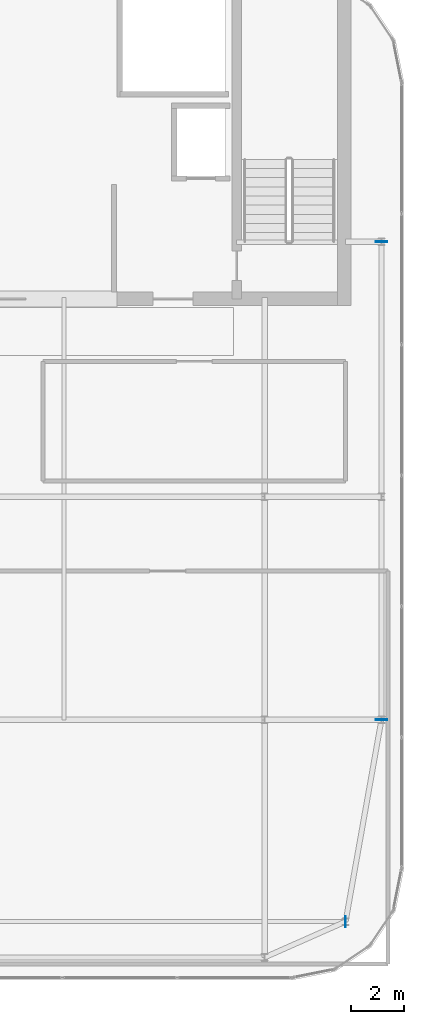
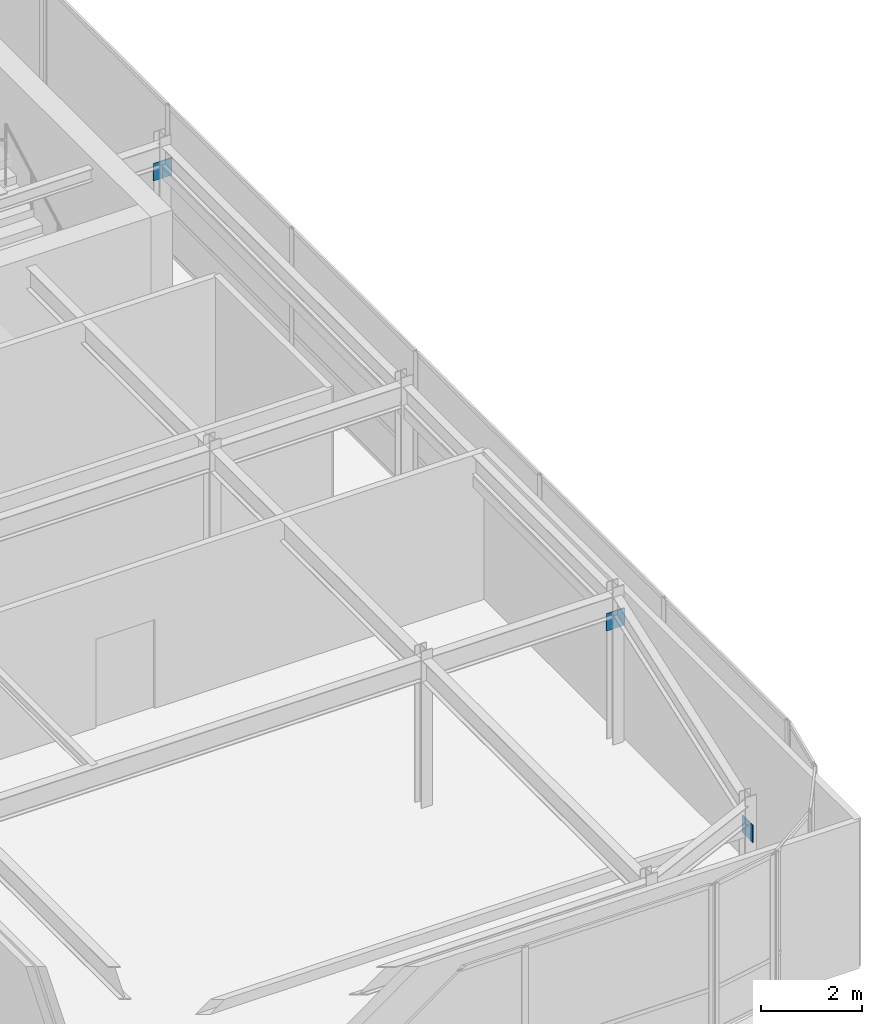
# One storey, part 32 of 36: 3 plates.
"""IFC4 building model written with IfcOpenShell, lengths in metres."""

from ifc_helpers import new_model, si_unit, direction, frame, origin, origin_2d, place, context, subcontext, project, spatial, rectangle, extrude, source, transform, mapped, material, layer, layer_set, type_object, type_shapes, element, save


model = new_model("IFC4")

# Units and contexts
model_context = context("Model", 3, precision=1e-05, world=origin(), true_north=direction((0.0, 1.0)))
body_context = subcontext(model_context, "Body", "Model", "MODEL_VIEW")
ifc_project = project(units=[si_unit("LENGTHUNIT", "METRE"), si_unit("AREAUNIT", "SQUARE_METRE"), si_unit("VOLUMEUNIT", "CUBIC_METRE"), si_unit("PLANEANGLEUNIT", "RADIAN"), si_unit("MASSUNIT", "GRAM", prefix="KILO")], contexts=[model_context])

# Site, building, storey
site_placement = place(None, origin())
site = spatial("IfcSite", under=ifc_project, at=site_placement, CompositionType="ELEMENT")
building_placement = place(site_placement, origin())
building = spatial("IfcBuilding", under=site, at=building_placement, Name="Tolvann Quenvar Hotel", CompositionType="ELEMENT")
storey_placement = place(building_placement, frame((0.0, 0.0, 294.75)))
storey = spatial("IfcBuildingStorey", under=building, at=storey_placement, Name="L78", CompositionType="ELEMENT", Elevation=294.75)

# Plates
ifc_material = material(Name="Steel Grade 350", Category="steel")
ifc_layer = layer(ifc_material, 0.02490234375)
ifc_layer_set = layer_set([ifc_layer], Name="Steel Grade 350")
plate_type = type_object("IfcPlateType", Name="PLT_ENDCAP_25", PredefinedType="SHEET", material=ifc_layer_set)
shared_shape_1 = source(origin(), body_context, "Body", "SweptSolid", [
    extrude(rectangle(XDim=0.02490234375, YDim=0.419921875, at=origin_2d()), origin(), (0.0, 0.0, 1.0), 0.419921875),
])
plate_placement = place(storey_placement, frame((35.800048828125, 8.39990234375, 2.719970703125), z_axis=(0.0, 0.0, 1.0), x_axis=(1.0, 0.0, 0.0)))
element("IfcPlate", 1, at=plate_placement, inside=storey, type_object=plate_type, Name="Crown Ring End Cap Plate EC-1 (L78-1-2)", PredefinedType="SHEET", context=body_context, shape_type="MappedRepresentation", body=[
    mapped(shared_shape_1, transform((0.0, 0.0, 0.0), x_axis=(1.0, 0.0, 0.0), y_axis=(0.0, 1.0, 0.0), z_axis=(0.0, 0.0, 1.0), scale=1.0)),
])
shared_shape_2 = source(origin(), body_context, "Body", "SweptSolid", [
    extrude(rectangle(XDim=0.419921875, YDim=0.02490234375, at=origin_2d()), origin(), (0.0, 0.0, 1.0), 0.419921875),
])
type_shapes(plate_type, [shared_shape_1, shared_shape_2])
for number, where, z_axis, x_axis, name in (
    (2, (37.14990234375, 16.0, 2.719970703125), (0.0, 0.0, 1.0), (1.0, 0.0, 0.0), "Crown Ring End Cap Plate EC-1 (L78-3-1)"),
    (3, (37.14990234375, 34.0, 2.719970703125), (0.0, 0.0, 1.0), (1.0, 0.0, 0.0), "Crown Ring End Cap Plate EC-1 (L78-3-2)"),
):
    element("IfcPlate", number, at=place(storey_placement, frame(where, z_axis=z_axis, x_axis=x_axis)), inside=storey, type_object=plate_type, Name=name, PredefinedType="SHEET", context=body_context, shape_type="MappedRepresentation", body=[
        mapped(shared_shape_2, transform((0.0, 0.0, 0.0), x_axis=(1.0, 0.0, 0.0), y_axis=(0.0, 1.0, 0.0), z_axis=(0.0, 0.0, 1.0), scale=1.0)),
    ])

save(model, "model.ifc")
